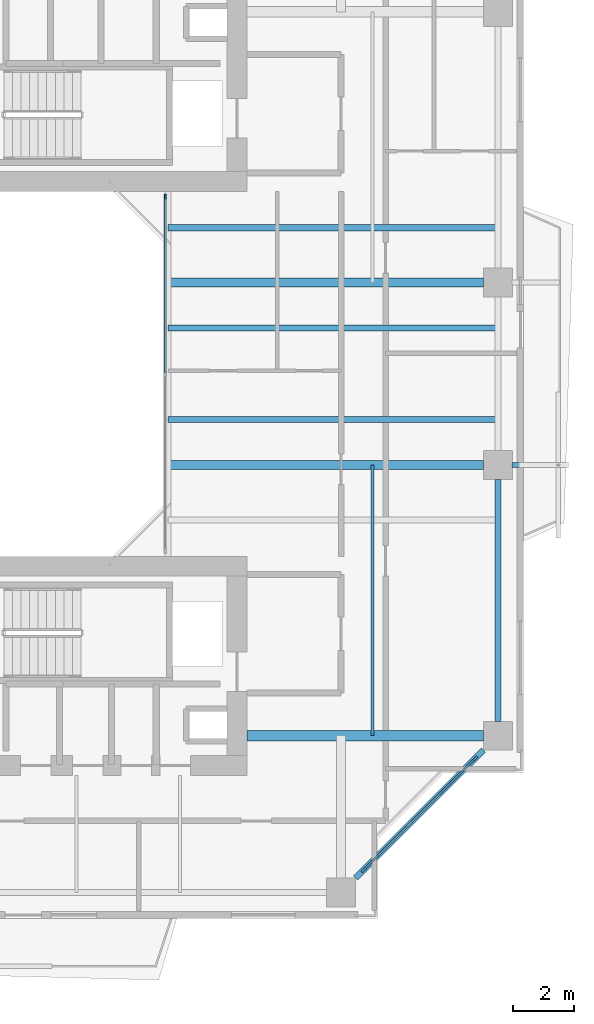
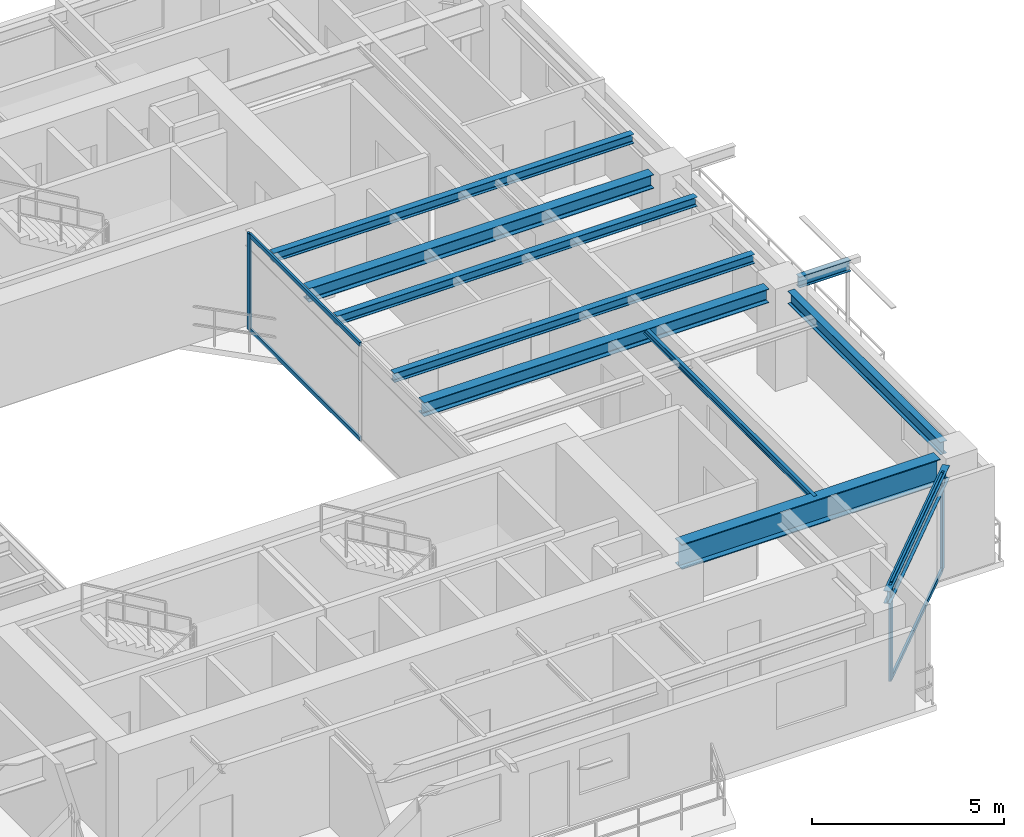
# One storey, part 6 of 17: 10 beams, 7 members, 2 elements without a shape of their own.
"""IFC4 building model written with IfcOpenShell, lengths in metres."""

from ifc_helpers import new_model, si_unit, direction, frame, origin, origin_2d, place, context, subcontext, project, spatial, rectangle, i_section, extrude, source, transform, mapped, material, layer, layer_set, material_profile, profile_set, type_object, element, aggregate, save


model = new_model("IFC4")

# Units and contexts
model_context = context("Model", 3, precision=1e-05, world=origin(), true_north=direction((0.0, 1.0)))
body_context = subcontext(model_context, "Body", "Model", "MODEL_VIEW")
ifc_project = project(units=[si_unit("LENGTHUNIT", "METRE"), si_unit("AREAUNIT", "SQUARE_METRE"), si_unit("VOLUMEUNIT", "CUBIC_METRE"), si_unit("PLANEANGLEUNIT", "RADIAN"), si_unit("MASSUNIT", "GRAM", prefix="KILO"), si_unit("THERMODYNAMICTEMPERATUREUNIT", "KELVIN"), si_unit("POWERUNIT", "WATT")], contexts=[model_context])

# Site, building, storey
site_placement = place(None, origin())
site = spatial("IfcSite", under=ifc_project, at=site_placement, CompositionType="ELEMENT")
building_placement = place(site_placement, origin())
building = spatial("IfcBuilding", under=site, at=building_placement, Name="Qiaomeng Ring Towers", CompositionType="ELEMENT")
storey_placement = place(building_placement, frame((0.0, 0.0, 143.75)))
storey = spatial("IfcBuildingStorey", under=building, at=storey_placement, Name="L41", CompositionType="ELEMENT", Elevation=143.75)

# Beams
ifc_material_1 = material(Name="Steel Q355B", Category="steel")
ifc_material_profile_1 = material_profile(ifc_material_1, i_section(OverallWidth=0.199951171875, OverallDepth=0.2939453125, WebThickness=0.008056640625, FlangeThickness=0.011962890625, FilletRadius=0.01806640625, at=origin_2d()), Name="HM 294x200x8x12")
ifc_profile_set_1 = profile_set([ifc_material_profile_1], Name="Steel Q355B")
beam_type_1 = type_object("IfcBeamType", Name="STR-BM-HM294", PredefinedType="JOIST", material=ifc_profile_set_1)
shared_shape_1 = source(origin(), body_context, "Body", "SweptSolid", [
    extrude(i_section(OverallWidth=0.199951171875, OverallDepth=0.2939453125, WebThickness=0.008056640625, FlangeThickness=0.011962890625, FilletRadius=0.01806640625, at=origin_2d()), origin(), (0.0, 0.0, 1.0), 10.85009765625),
])
for number, where, z_axis, x_axis, name in (
    (1, (25.199951171875, 21.5, 2.923095703125), (1.0, 0.0, 0.0), (0.0, 1.0, 0.0), "L41 beam STR-JST-L41-T1E-2"),
    (2, (25.199951171875, 24.5, 2.923095703125), (1.0, 0.0, 0.0), (0.0, 1.0, 0.0), "L41 beam STR-JST-L41-T1E-3"),
    (3, (25.199951171875, 27.800048828125, 2.923095703125), (1.0, 0.0, 0.0), (0.0, 1.0, 0.0), "L41 beam STR-JST-L41-T1E-4"),
):
    element("IfcBeam", number, at=place(storey_placement, frame(where, z_axis=z_axis, x_axis=x_axis)), inside=storey, type_object=beam_type_1, Name=name, PredefinedType="JOIST", context=body_context, shape_type="MappedRepresentation", body=[
        mapped(shared_shape_1, transform((0.0, 0.0, 0.0), x_axis=(1.0, 0.0, 0.0), y_axis=(0.0, 1.0, 0.0), z_axis=(0.0, 0.0, 1.0), scale=1.0)),
    ])
ifc_material_profile_2 = material_profile(ifc_material_1, i_section(OverallWidth=0.10009765625, OverallDepth=0.199951171875, WebThickness=0.005615234375, FlangeThickness=0.008056640625, FilletRadius=0.010986328125, at=origin_2d()), Name="HN 200x100x5.5x8")
ifc_profile_set_2 = profile_set([ifc_material_profile_2], Name="Steel Q355B")
beam_type_2 = type_object("IfcBeamType", Name="STR-BM-HN200", PredefinedType="JOIST", material=ifc_profile_set_2)
shared_shape_2 = source(origin(), body_context, "Body", "SweptSolid", [
    extrude(i_section(OverallWidth=0.10009765625, OverallDepth=0.199951171875, WebThickness=0.005615234375, FlangeThickness=0.008056640625, FilletRadius=0.010986328125, at=origin_2d()), origin(), (0.0, 0.0, 1.0), 8.89990234375),
])
beam_1_placement = place(storey_placement, frame((31.925048828125, 11.10009765625, 2.969970703125), z_axis=(0.0, 1.0, 0.0), x_axis=(-1.0, 0.0, 0.0)))
element("IfcBeam", 4, at=beam_1_placement, inside=storey, type_object=beam_type_2, Name="L41 beam STR-JST-L41-T1C-ES", PredefinedType="JOIST", context=body_context, shape_type="MappedRepresentation", body=[
    mapped(shared_shape_2, transform((0.0, 0.0, 0.0), x_axis=(1.0, 0.0, 0.0), y_axis=(0.0, 1.0, 0.0), z_axis=(0.0, 0.0, 1.0), scale=1.0)),
])
ifc_material_profile_3 = material_profile(ifc_material_1, i_section(OverallWidth=0.199951171875, OverallDepth=0.39990234375, WebThickness=0.008056640625, FlangeThickness=0.012939453125, FilletRadius=0.01611328125, at=origin_2d()), Name="HN 400x200x8x13")
ifc_profile_set_3 = profile_set([ifc_material_profile_3], Name="Steel Q355B")
beam_type_3 = type_object("IfcBeamType", Name="STR-BM-HN400", PredefinedType="SPANDREL", material=ifc_profile_set_3)
shared_shape_3 = source(origin(), body_context, "Body", "SweptSolid", [
    extrude(i_section(OverallWidth=0.199951171875, OverallDepth=0.39990234375, WebThickness=0.008056640625, FlangeThickness=0.012939453125, FilletRadius=0.01611328125, at=origin_2d()), origin(), (0.0, 0.0, 1.0), 5.941650390625),
])
beam_2_placement = place(storey_placement, frame((31.374267578125, 6.42431640625, 2.8701171875), z_axis=(0.707106781187, 0.707106781187, 0.0), x_axis=(-0.707106781187, 0.707106781187, 0.0)))
element("IfcBeam", 5, at=beam_2_placement, inside=storey, type_object=beam_type_3, Name="L41 beam STR-SP-L41-T1-S2-E1", PredefinedType="SPANDREL", context=body_context, shape_type="MappedRepresentation", body=[
    mapped(shared_shape_3, transform((0.0, 0.0, 0.0), x_axis=(1.0, 0.0, 0.0), y_axis=(0.0, 1.0, 0.0), z_axis=(0.0, 0.0, 1.0), scale=1.0)),
])
shared_shape_4 = source(origin(), body_context, "Body", "SweptSolid", [
    extrude(i_section(OverallWidth=0.199951171875, OverallDepth=0.39990234375, WebThickness=0.008056640625, FlangeThickness=0.012939453125, FilletRadius=0.01611328125, at=origin_2d()), origin(), (0.0, 0.0, 1.0), 7.951904296875),
])
beam_3_placement = place(storey_placement, frame((36.050048828125, 11.573974609375, 2.8701171875), z_axis=(0.0, 1.0, 0.0), x_axis=(-1.0, 0.0, 0.0)))
element("IfcBeam", 6, at=beam_3_placement, inside=storey, type_object=beam_type_3, Name="L41 beam STR-SP-L41-T1-E1-E2", PredefinedType="SPANDREL", context=body_context, shape_type="MappedRepresentation", body=[
    mapped(shared_shape_4, transform((0.0, 0.0, 0.0), x_axis=(1.0, 0.0, 0.0), y_axis=(0.0, 1.0, 0.0), z_axis=(0.0, 0.0, 1.0), scale=1.0)),
])
ifc_material_2 = material(Name="Steel Q390GJC", Category="steel")
ifc_material_profile_4 = material_profile(ifc_material_2, i_section(OverallWidth=0.35009765625, OverallDepth=0.800048828125, WebThickness=0.01611328125, FlangeThickness=0.028076171875, at=origin_2d()), Name="WH 800x350x16x28")
ifc_profile_set_4 = profile_set([ifc_material_profile_4], Name="Steel Q390GJC")
beam_type_4 = type_object("IfcBeamType", Name="STR-BM-WH800", PredefinedType="BEAM", material=ifc_profile_set_4)
shared_shape_5 = source(origin(), body_context, "Body", "SweptSolid", [
    extrude(i_section(OverallWidth=0.35009765625, OverallDepth=0.800048828125, WebThickness=0.01611328125, FlangeThickness=0.028076171875, at=origin_2d()), origin(), (0.0, 0.0, 1.0), 7.77587890625),
])
beam_4_placement = place(storey_placement, frame((27.800048828125, 11.10009765625, 2.669921875), z_axis=(1.0, 0.0, 0.0), x_axis=(0.0, 1.0, 0.0)))
element("IfcBeam", 7, at=beam_4_placement, inside=storey, type_object=beam_type_4, Name="L41 beam STR-BM-L41-T1-RAD-E1", PredefinedType="BEAM", context=body_context, shape_type="MappedRepresentation", body=[
    mapped(shared_shape_5, transform((0.0, 0.0, 0.0), x_axis=(1.0, 0.0, 0.0), y_axis=(0.0, 1.0, 0.0), z_axis=(0.0, 0.0, 1.0), scale=1.0)),
])
ifc_material_profile_5 = material_profile(ifc_material_1, i_section(OverallWidth=0.300048828125, OverallDepth=0.43994140625, WebThickness=0.010986328125, FlangeThickness=0.01806640625, FilletRadius=0.02392578125, at=origin_2d()), Name="HM 440x300x11x18")
ifc_profile_set_5 = profile_set([ifc_material_profile_5], Name="Steel Q355B")
beam_type_5 = type_object("IfcBeamType", Name="STR-BM-HM440", PredefinedType="BEAM", material=ifc_profile_set_5)
shared_shape_6 = source(origin(), body_context, "Body", "SweptSolid", [
    extrude(i_section(OverallWidth=0.300048828125, OverallDepth=0.43994140625, WebThickness=0.010986328125, FlangeThickness=0.01806640625, FilletRadius=0.02392578125, at=origin_2d()), origin(), (0.0, 0.0, 1.0), 10.3759765625),
])
for number, where, z_axis, x_axis, name in (
    (8, (25.199951171875, 20.0, 2.85009765625), (1.0, 0.0, 0.0), (0.0, 1.0, 0.0), "L41 beam STR-BM-L41-T1-RAD-E2"),
    (9, (25.199951171875, 26.0, 2.85009765625), (1.0, 0.0, 0.0), (0.0, 1.0, 0.0), "L41 beam STR-BM-L41-T1-RAD-E3"),
):
    element("IfcBeam", number, at=place(storey_placement, frame(where, z_axis=z_axis, x_axis=x_axis)), inside=storey, type_object=beam_type_5, Name=name, PredefinedType="BEAM", context=body_context, shape_type="MappedRepresentation", body=[
        mapped(shared_shape_6, transform((0.0, 0.0, 0.0), x_axis=(1.0, 0.0, 0.0), y_axis=(0.0, 1.0, 0.0), z_axis=(0.0, 0.0, 1.0), scale=1.0)),
    ])
ifc_material_profile_6 = material_profile(ifc_material_1, i_section(OverallWidth=0.175048828125, OverallDepth=0.35009765625, WebThickness=0.007080078125, FlangeThickness=0.010986328125, FilletRadius=0.013916015625, at=origin_2d()), Name="HN 350x175x7x11")
ifc_profile_set_6 = profile_set([ifc_material_profile_6], Name="Steel Q355B")
beam_type_6 = type_object("IfcBeamType", Name="STR-BM-HN350", PredefinedType="JOIST", material=ifc_profile_set_6)
shared_shape_7 = source(origin(), body_context, "Body", "SweptSolid", [
    extrude(i_section(OverallWidth=0.175048828125, OverallDepth=0.35009765625, WebThickness=0.007080078125, FlangeThickness=0.010986328125, FilletRadius=0.013916015625, at=origin_2d()), origin(), (0.0, 0.0, 1.0), 1.55615234375),
])
beam_5_placement = place(storey_placement, frame((36.52392578125, 20.0, 2.89501953125), z_axis=(1.0, 0.0, 0.0), x_axis=(0.0, 1.0, 0.0)))
element("IfcBeam", 10, at=beam_5_placement, inside=storey, type_object=beam_type_6, Name="L41 beam STR-BALBM-L41-E2", PredefinedType="JOIST", context=body_context, shape_type="MappedRepresentation", body=[
    mapped(shared_shape_7, transform((0.0, 0.0, 0.0), x_axis=(1.0, 0.0, 0.0), y_axis=(0.0, 1.0, 0.0), z_axis=(0.0, 0.0, 1.0), scale=1.0)),
])

# Curtain wall, members
ifc_material_3 = material(Name="Fluorocarbon dark-grey aluminium", Category="aluminium")
ifc_layer_1 = layer(ifc_material_3, 0.139892578125, Name="Fluorocarbon dark-grey aluminium")
ifc_layer_set_1 = layer_set([ifc_layer_1], Name="Fluorocarbon dark-grey aluminium")
curtain_wall_type_1 = type_object("IfcCurtainWallType", Name="ARC-CW-4", PredefinedType="NOTDEFINED", material=ifc_layer_set_1)
curtain_wall_1_placement = place(storey_placement, origin())
curtain_wall_1 = element("IfcCurtainWall", 11, at=curtain_wall_1_placement, inside=storey, type_object=curtain_wall_type_1, Name="L41 Curtain Wall CW4", PredefinedType="NOTDEFINED")
ifc_material_profile_7 = material_profile(ifc_material_3, rectangle(XDim=0.06494140625, YDim=0.159912109375, at=origin_2d()), Name="ALU MULL 65x160")
ifc_profile_set_7 = profile_set([ifc_material_profile_7], Name="Fluorocarbon dark-grey aluminium")
member_type_1 = type_object("IfcMemberType", Name="ARC-CWM-140", PredefinedType="MULLION", material=ifc_profile_set_7)
shared_shape_8 = source(origin(), body_context, "Body", "SweptSolid", [
    extrude(rectangle(XDim=0.06494140625, YDim=0.159912109375, at=origin_2d()), origin(), (0.0, 0.0, 1.0), 3.070068359375),
])
member_1_placement = place(storey_placement, frame((25.1201171875, 28.8173828125, 0.0), z_axis=(0.0, 0.0, 1.0), x_axis=(-1.0, 0.0, 0.0)))
member_1 = element("IfcMember", 12, at=member_1_placement, type_object=member_type_1, Name="CW4 mullion 3", PredefinedType="MULLION", context=body_context, shape_type="MappedRepresentation", body=[
    mapped(shared_shape_8, transform((0.0, 0.0, 0.0), x_axis=(1.0, 0.0, 0.0), y_axis=(0.0, 1.0, 0.0), z_axis=(0.0, 0.0, 1.0), scale=1.0)),
])
ifc_material_profile_8 = material_profile(ifc_material_3, rectangle(XDim=0.06494140625, YDim=0.1298828125, at=origin_2d()), Name="ALU TRAN 65x130")
ifc_profile_set_8 = profile_set([ifc_material_profile_8], Name="Fluorocarbon dark-grey aluminium")
member_type_2 = type_object("IfcMemberType", Name="ARC-CWT-120", PredefinedType="USERDEFINED", material=ifc_profile_set_8)
shared_shape_9 = source(origin(), body_context, "Body", "SweptSolid", [
    extrude(rectangle(XDim=0.06494140625, YDim=0.1298828125, at=origin_2d()), origin(), (0.0, 0.0, 1.0), 5.75244140625),
])
member_2_placement = place(storey_placement, frame((25.1201171875, 23.032470703125, 0.032470703125), z_axis=(0.0, 1.0, 0.0), x_axis=(-1.0, 0.0, 0.0)))
member_2 = element("IfcMember", 13, at=member_2_placement, type_object=member_type_2, Name="CW4 transom 2.1", ObjectType="TRANSOM", PredefinedType="USERDEFINED", context=body_context, shape_type="MappedRepresentation", body=[
    mapped(shared_shape_9, transform((0.0, 0.0, 0.0), x_axis=(1.0, 0.0, 0.0), y_axis=(0.0, 1.0, 0.0), z_axis=(0.0, 0.0, 1.0), scale=1.0)),
])
member_3_placement = place(storey_placement, frame((25.1201171875, 23.032470703125, 3.03759765625), z_axis=(0.0, 1.0, 0.0), x_axis=(-1.0, 0.0, 0.0)))
member_3 = element("IfcMember", 14, at=member_3_placement, type_object=member_type_2, Name="CW4 transom 2.2", ObjectType="TRANSOM", PredefinedType="USERDEFINED", context=body_context, shape_type="MappedRepresentation", body=[
    mapped(shared_shape_9, transform((0.0, 0.0, 0.0), x_axis=(1.0, 0.0, 0.0), y_axis=(0.0, 1.0, 0.0), z_axis=(0.0, 0.0, 1.0), scale=1.0)),
])
aggregate(curtain_wall_1, [member_1, member_2, member_3])

ifc_layer_2 = layer(ifc_material_3, 0.14990234375, Name="Fluorocarbon dark-grey aluminium")
ifc_layer_set_2 = layer_set([ifc_layer_2], Name="Fluorocarbon dark-grey aluminium")
curtain_wall_type_2 = type_object("IfcCurtainWallType", Name="ARC-CW-3", PredefinedType="NOTDEFINED", material=ifc_layer_set_2)
curtain_wall_2_placement = place(storey_placement, origin())
curtain_wall_2 = element("IfcCurtainWall", 15, at=curtain_wall_2_placement, inside=storey, type_object=curtain_wall_type_2, Name="L41 Curtain Wall CW3", PredefinedType="NOTDEFINED")
ifc_material_profile_9 = material_profile(ifc_material_3, rectangle(XDim=0.070068359375, YDim=0.179931640625, at=origin_2d()), Name="ALU MULL 70x180")
ifc_profile_set_9 = profile_set([ifc_material_profile_9], Name="Fluorocarbon dark-grey aluminium")
member_type_3 = type_object("IfcMemberType", Name="ARC-CWM-160", PredefinedType="MULLION", material=ifc_profile_set_9)
shared_shape_10 = source(origin(), body_context, "Body", "SweptSolid", [
    extrude(rectangle(XDim=0.070068359375, YDim=0.179931640625, at=origin_2d()), origin(), (0.0, 0.0, 1.0), 3.070068359375),
])
member_4_placement = place(storey_placement, frame((31.6396484375, 6.689697265625, 0.0), z_axis=(0.0, 0.0, 1.0), x_axis=(-0.707106781187, 0.707106781187, 0.0)))
member_4 = element("IfcMember", 16, at=member_4_placement, type_object=member_type_3, Name="CW3 mullion 1", PredefinedType="MULLION", context=body_context, shape_type="MappedRepresentation", body=[
    mapped(shared_shape_10, transform((0.0, 0.0, 0.0), x_axis=(1.0, 0.0, 0.0), y_axis=(0.0, 1.0, 0.0), z_axis=(0.0, 0.0, 1.0), scale=1.0)),
])
member_5_placement = place(storey_placement, frame((35.310302734375, 10.3603515625, 0.0), z_axis=(0.0, 0.0, 1.0), x_axis=(-0.707106781187, 0.707106781187, 0.0)))
member_5 = element("IfcMember", 17, at=member_5_placement, type_object=member_type_3, Name="CW3 mullion 2", PredefinedType="MULLION", context=body_context, shape_type="MappedRepresentation", body=[
    mapped(shared_shape_10, transform((0.0, 0.0, 0.0), x_axis=(1.0, 0.0, 0.0), y_axis=(0.0, 1.0, 0.0), z_axis=(0.0, 0.0, 1.0), scale=1.0)),
])
shared_shape_11 = source(origin(), body_context, "Body", "SweptSolid", [
    extrude(rectangle(XDim=0.06494140625, YDim=0.1298828125, at=origin_2d()), origin(), (0.0, 0.0, 1.0), 5.12060546875),
])
member_6_placement = place(storey_placement, frame((31.66455078125, 6.714599609375, 0.032470703125), z_axis=(0.707106781187, 0.707106781187, 0.0), x_axis=(-0.707106781187, 0.707106781187, 0.0)))
member_6 = element("IfcMember", 18, at=member_6_placement, type_object=member_type_2, Name="CW3 transom 1.1", ObjectType="TRANSOM", PredefinedType="USERDEFINED", context=body_context, shape_type="MappedRepresentation", body=[
    mapped(shared_shape_11, transform((0.0, 0.0, 0.0), x_axis=(1.0, 0.0, 0.0), y_axis=(0.0, 1.0, 0.0), z_axis=(0.0, 0.0, 1.0), scale=1.0)),
])
member_7_placement = place(storey_placement, frame((31.66455078125, 6.714599609375, 3.03759765625), z_axis=(0.707106781187, 0.707106781187, 0.0), x_axis=(-0.707106781187, 0.707106781187, 0.0)))
member_7 = element("IfcMember", 19, at=member_7_placement, type_object=member_type_2, Name="CW3 transom 1.2", ObjectType="TRANSOM", PredefinedType="USERDEFINED", context=body_context, shape_type="MappedRepresentation", body=[
    mapped(shared_shape_11, transform((0.0, 0.0, 0.0), x_axis=(1.0, 0.0, 0.0), y_axis=(0.0, 1.0, 0.0), z_axis=(0.0, 0.0, 1.0), scale=1.0)),
])
aggregate(curtain_wall_2, [member_4, member_5, member_6, member_7])

save(model, "model.ifc")
